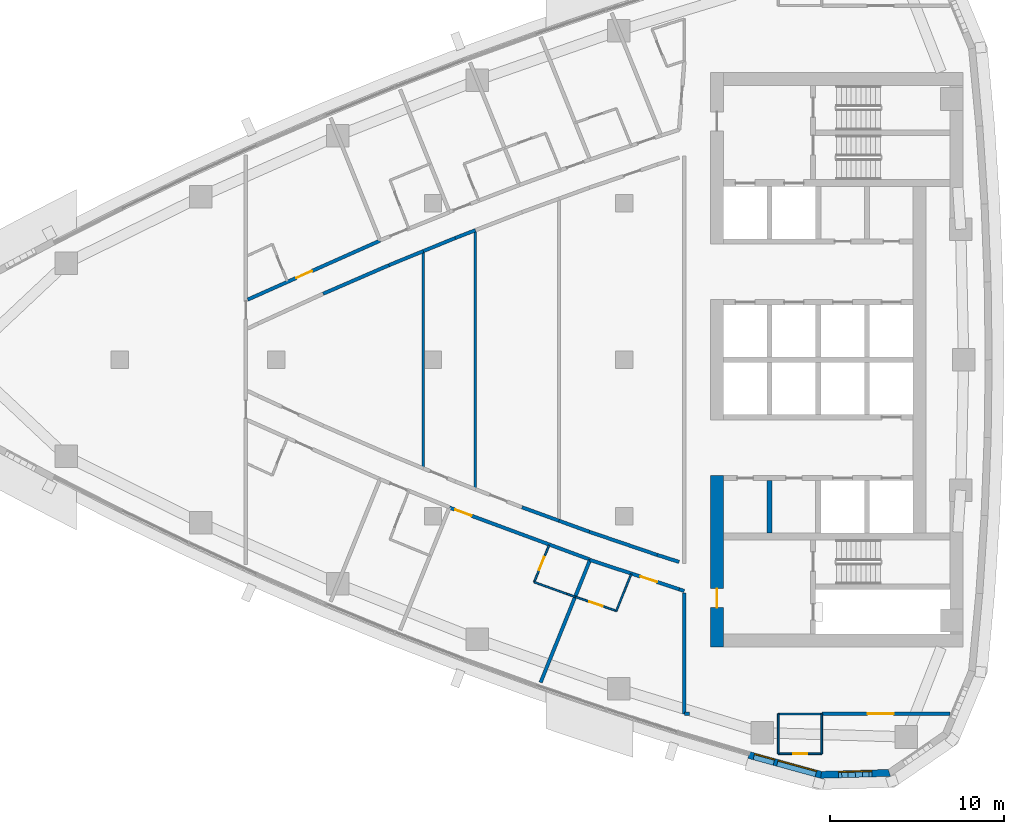
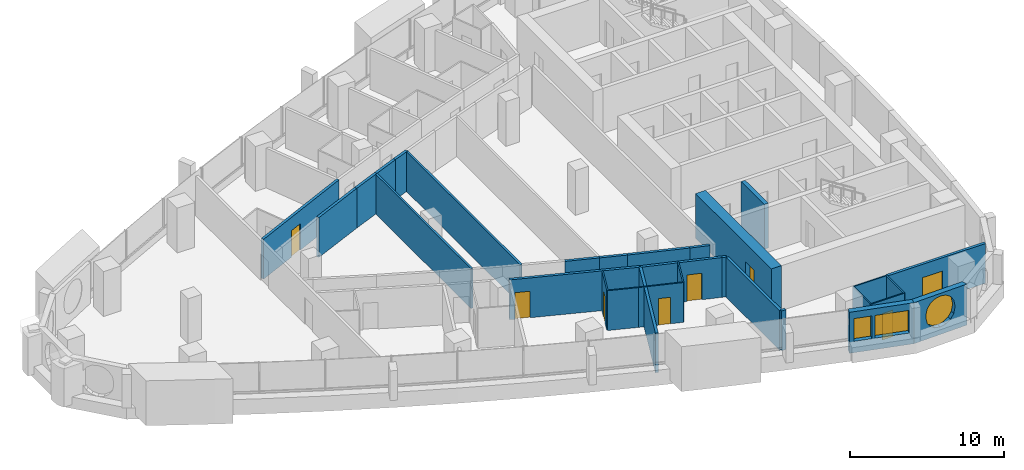
# One storey, part 10 of 17: 31 walls, 8 doors, 3 windows, 11 openings.
"""IFC4 building model written with IfcOpenShell, lengths in metres."""

from ifc_helpers import new_model, si_unit, direction, frame, frame_2d, origin, place, context, subcontext, project, spatial, polyline, rectangle, outline, extrude, material, layer, layer_set, type_object, element, fill, save


model = new_model("IFC4")

# Units and contexts
model_context = context("Model", 3, precision=1e-05, world=origin(), true_north=direction((0.0, 1.0)))
body_context = subcontext(model_context, "Body", "Model", "MODEL_VIEW")
ifc_project = project(units=[si_unit("LENGTHUNIT", "METRE"), si_unit("AREAUNIT", "SQUARE_METRE"), si_unit("VOLUMEUNIT", "CUBIC_METRE"), si_unit("PLANEANGLEUNIT", "RADIAN"), si_unit("MASSUNIT", "GRAM", prefix="KILO")], contexts=[model_context])

# Site, building, storey
site_placement = place(None, origin())
site = spatial("IfcSite", under=ifc_project, at=site_placement, CompositionType="ELEMENT")
building_placement = place(site_placement, origin())
building = spatial("IfcBuilding", under=site, at=building_placement, Name="Ostrand Prow Hotel Tower", CompositionType="ELEMENT")
storey_placement = place(building_placement, frame((0.0, 0.0, 207.449951171875)))
storey = spatial("IfcBuildingStorey", under=building, at=storey_placement, Name="L52", CompositionType="ELEMENT", Elevation=207.449951171875)

# Wall
ifc_material_1 = material(Name="Concrete C60/75", Category="concrete")
ifc_layer_1 = layer(ifc_material_1, 0.300048828125)
ifc_layer_set_1 = layer_set([ifc_layer_1], Name="Concrete C60/75")
wall_type_1 = type_object("IfcWallType", Name="Core wall 300 C60/75", PredefinedType="SHEAR", material=ifc_layer_set_1)
wall_1_placement = place(storey_placement, frame((53.35009765625, -9.949951171875, 0.0), z_axis=(0.0, 0.0, 1.0), x_axis=(0.0, 1.0, 0.0)))
element("IfcWall", 1, at=wall_1_placement, inside=storey, type_object=wall_type_1, Name="Core wall PW-R1-SA", PredefinedType="SHEAR", context=body_context, shape_type="SweptSolid", body=[
    extrude(rectangle(XDim=3.0, YDim=0.300048828125, at=frame_2d((1.5, 0.0))), origin(), (0.0, 0.0, 1.0), 3.550048828125),
])

# Wall, opening, door
ifc_material_2 = material(Name="Concrete C60/75", Category="concrete")
ifc_layer_2 = layer(ifc_material_2, 0.75)
ifc_layer_set_2 = layer_set([ifc_layer_2], Name="Concrete C60/75")
wall_type_2 = type_object("IfcWallType", Name="Core wall 750 C60/75", PredefinedType="SHEAR", material=ifc_layer_set_2)
wall_2_placement = place(storey_placement, frame((50.324951171875, -16.5, 0.0), z_axis=(0.0, 0.0, 1.0), x_axis=(0.0, 1.0, 0.0)))
wall_2 = element("IfcWall", 2, at=wall_2_placement, inside=storey, type_object=wall_type_2, Name="Core wall CW-W-S", PredefinedType="SHEAR", context=body_context, shape_type="SweptSolid", body=[
    extrude(rectangle(XDim=9.85009765625, YDim=0.75, at=frame_2d((4.925048828125, 0.0))), origin(), (0.0, 0.0, 1.0), 3.550048828125),
])
opening_1_placement = place(wall_2_placement, frame((2.25, 0.0, 0.0)))
opening_1 = element("IfcOpeningElement", 3, at=opening_1_placement, cuts=wall_2, Name="Opening FD1", PredefinedType="OPENING", context=body_context, shape_type="SweptSolid", body=[
    extrude(rectangle(XDim=1.10009765625, YDim=2.10009765625, at=frame_2d((0.550048828125, 1.050048828125))), frame((0.0, 0.385009765625, 0.0), z_axis=(0.0, -1.0, 0.0), x_axis=(1.0, 0.0, 0.0)), (0.0, 0.0, 1.0), 0.77001953125),
])
ifc_material_3 = material(Name="Steel fire door", Category="steel")
door_type_1 = type_object("IfcDoorType", Name="Fire door 1100 EI120", OperationType="SINGLE_SWING_RIGHT", PredefinedType="DOOR", material=ifc_material_3)
door_1_placement = place(opening_1_placement, origin())
door_1 = element("IfcDoor", 4, at=door_1_placement, inside=storey, type_object=door_type_1, Name="FIRE DOOR", OperationType="SINGLE_SWING_RIGHT", OverallHeight=2.10009765625, OverallWidth=1.10009765625, PredefinedType="DOOR", context=body_context, shape_type="SweptSolid", body=[
    extrude(rectangle(XDim=1.10009765625, YDim=2.10009765625, at=frame_2d((0.550048828125, 1.050048828125))), frame((0.0, 0.02490234375, 0.0), z_axis=(0.0, -1.0, 0.0), x_axis=(1.0, 0.0, 0.0)), (0.0, 0.0, 1.0), 0.050048828125),
])
fill(opening_1, door_1)

ifc_material_4 = material(Name="Plasterboard partition")
ifc_layer_3 = layer(ifc_material_4, 0.10009765625)
ifc_layer_set_3 = layer_set([ifc_layer_3], Name="Plasterboard partition")
wall_type_3 = type_object("IfcWallType", Name="Partition 100 bathroom wall", PredefinedType="PARTITIONING", material=ifc_layer_set_3)
wall_3_placement = place(storey_placement, frame((56.35009765625, -22.64990234375, 0.0), z_axis=(0.0, 0.0, 1.0), x_axis=(-1.0, 0.0, 0.0)))
wall_3 = element("IfcWall", 5, at=wall_3_placement, inside=storey, type_object=wall_type_3, Name="BATHROOM WALL", PredefinedType="PARTITIONING", context=body_context, shape_type="SweptSolid", body=[
    extrude(rectangle(XDim=2.5, YDim=0.10009765625, at=frame_2d((1.25, 0.0))), origin(), (0.0, 0.0, 1.0), 3.150146484375),
])
opening_2_placement = place(wall_3_placement, frame((0.85009765625, 0.0, 0.0)))
opening_2 = element("IfcOpeningElement", 6, at=opening_2_placement, cuts=wall_3, Name="Opening D2", PredefinedType="OPENING", context=body_context, shape_type="SweptSolid", body=[
    extrude(rectangle(XDim=0.800048828125, YDim=2.10009765625, at=frame_2d((0.39990234375, 1.050048828125))), frame((0.0, 0.06005859375, 0.0), z_axis=(0.0, -1.0, 0.0), x_axis=(1.0, 0.0, 0.0)), (0.0, 0.0, 1.0), 0.1201171875),
])
ifc_material_5 = material(Name="Timber door leaf", Category="wood")
door_type_2 = type_object("IfcDoorType", Name="Bathroom door 800", OperationType="SINGLE_SWING_LEFT", PredefinedType="DOOR", material=ifc_material_5)
door_2_placement = place(opening_2_placement, origin())
door_2 = element("IfcDoor", 7, at=door_2_placement, inside=storey, type_object=door_type_2, Name="DOOR", OperationType="SINGLE_SWING_LEFT", OverallHeight=2.10009765625, OverallWidth=0.800048828125, PredefinedType="DOOR", context=body_context, shape_type="SweptSolid", body=[
    extrude(rectangle(XDim=0.800048828125, YDim=2.10009765625, at=frame_2d((0.39990234375, 1.050048828125))), frame((0.0, 0.02490234375, 0.0), z_axis=(0.0, -1.0, 0.0), x_axis=(1.0, 0.0, 0.0)), (0.0, 0.0, 1.0), 0.050048828125),
])
fill(opening_2, door_2)

# Walls
for number, where, z_axis, x_axis, name in (
    (8, (53.85009765625, -22.64990234375, 0.0), (0.0, 0.0, 1.0), (0.0, 1.0, 0.0), "BATHROOM WALL"),
    (9, (56.35009765625, -20.35009765625, 0.0), (0.0, 0.0, 1.0), (0.0, -1.0, 0.0), "BATHROOM WALL"),
):
    element("IfcWall", number, at=place(storey_placement, frame(where, z_axis=z_axis, x_axis=x_axis)), inside=storey, type_object=wall_type_3, Name=name, PredefinedType="PARTITIONING", context=body_context, shape_type="SweptSolid", body=[
        extrude(rectangle(XDim=2.2998046875, YDim=0.10009765625, at=frame_2d((1.14990234375, 0.0))), origin(), (0.0, 0.0, 1.0), 3.150146484375),
    ])

# Wall, opening, door
wall_4_placement = place(storey_placement, frame((39.81787109375, -12.77880859375, 0.0), z_axis=(0.0, 0.0, 1.0), x_axis=(0.373883593317, 0.927475637765, 0.0)))
wall_4 = element("IfcWall", 10, at=wall_4_placement, inside=storey, type_object=wall_type_3, Name="BATHROOM WALL", PredefinedType="PARTITIONING", context=body_context, shape_type="SweptSolid", body=[
    extrude(rectangle(XDim=2.2783203125, YDim=0.10009765625, at=frame_2d((1.13916015625, 0.0))), origin(), (0.0, 0.0, 1.0), 3.150146484375),
])
opening_3_placement = place(wall_4_placement, frame((0.75, 0.0, 0.0)))
opening_3 = element("IfcOpeningElement", 11, at=opening_3_placement, cuts=wall_4, Name="Opening D2", PredefinedType="OPENING", context=body_context, shape_type="SweptSolid", body=[
    extrude(rectangle(XDim=0.800048828125, YDim=2.10009765625, at=frame_2d((0.39990234375, 1.050048828125))), frame((0.0, 0.06005859375, 0.0), z_axis=(0.0, -1.0, 0.0), x_axis=(1.0, 0.0, 0.0)), (0.0, 0.0, 1.0), 0.1201171875),
])
door_3_placement = place(opening_3_placement, origin())
door_3 = element("IfcDoor", 12, at=door_3_placement, inside=storey, type_object=door_type_2, Name="DOOR", OperationType="SINGLE_SWING_LEFT", OverallHeight=2.10009765625, OverallWidth=0.800048828125, PredefinedType="DOOR", context=body_context, shape_type="SweptSolid", body=[
    extrude(rectangle(XDim=0.800048828125, YDim=2.10009765625, at=frame_2d((0.39990234375, 1.050048828125))), frame((0.0, 0.02490234375, 0.0), z_axis=(0.0, -1.0, 0.0), x_axis=(1.0, 0.0, 0.0)), (0.0, 0.0, 1.0), 0.050048828125),
])
fill(opening_3, door_3)

# Walls
wall_5_placement = place(storey_placement, frame((42.172119140625, -13.625, 0.0), z_axis=(0.0, 0.0, 1.0), x_axis=(-0.946456821894, 0.322830426526, 0.0)))
element("IfcWall", 13, at=wall_5_placement, inside=storey, type_object=wall_type_3, Name="BATHROOM WALL", PredefinedType="PARTITIONING", context=body_context, shape_type="SweptSolid", body=[
    extrude(rectangle(XDim=0.476318359375, YDim=0.10009765625, at=frame_2d((0.23828125, 0.0))), origin(), (0.0, 0.0, 1.0), 3.150146484375),
])
wall_6_placement = place(storey_placement, frame((41.72119140625, -13.47119140625, 0.0), z_axis=(0.0, 0.0, 1.0), x_axis=(-0.939737092411, 0.341897933814, 0.0)))
element("IfcWall", 14, at=wall_6_placement, inside=storey, type_object=wall_type_3, Name="BATHROOM WALL", PredefinedType="PARTITIONING", context=body_context, shape_type="SweptSolid", body=[
    extrude(rectangle(XDim=2.025146484375, YDim=0.10009765625, at=frame_2d((1.0126953125, 0.0))), origin(), (0.0, 0.0, 1.0), 3.150146484375),
])
wall_7_placement = place(storey_placement, frame((45.39453125, -12.318359375, 0.0), z_axis=(0.0, 0.0, 1.0), x_axis=(-0.373917841166, -0.927461831052, 0.0)))
element("IfcWall", 15, at=wall_7_placement, inside=storey, type_object=wall_type_3, Name="BATHROOM WALL", PredefinedType="PARTITIONING", context=body_context, shape_type="SweptSolid", body=[
    extrude(rectangle(XDim=2.28076171875, YDim=0.10009765625, at=frame_2d((1.140380859375, 0.0))), origin(), (0.0, 0.0, 1.0), 3.150146484375),
])

# Wall, opening, door
wall_8_placement = place(storey_placement, frame((44.541748046875, -14.43359375, 0.0), z_axis=(0.0, 0.0, 1.0), x_axis=(-0.946406575113, 0.322977699822, 0.0)))
wall_8 = element("IfcWall", 16, at=wall_8_placement, inside=storey, type_object=wall_type_3, Name="BATHROOM WALL", PredefinedType="PARTITIONING", context=body_context, shape_type="SweptSolid", body=[
    extrude(rectangle(XDim=2.503662109375, YDim=0.10009765625, at=frame_2d((1.251953125, 0.0))), origin(), (0.0, 0.0, 1.0), 3.150146484375),
])
opening_4_placement = place(wall_8_placement, frame((0.85009765625, 0.0, 0.0)))
opening_4 = element("IfcOpeningElement", 17, at=opening_4_placement, cuts=wall_8, Name="Opening D2", PredefinedType="OPENING", context=body_context, shape_type="SweptSolid", body=[
    extrude(rectangle(XDim=0.800048828125, YDim=2.10009765625, at=frame_2d((0.39990234375, 1.050048828125))), frame((0.0, 0.06005859375, 0.0), z_axis=(0.0, -1.0, 0.0), x_axis=(1.0, 0.0, 0.0)), (0.0, 0.0, 1.0), 0.1201171875),
])
door_4_placement = place(opening_4_placement, origin())
door_4 = element("IfcDoor", 18, at=door_4_placement, inside=storey, type_object=door_type_2, Name="DOOR", OperationType="SINGLE_SWING_LEFT", OverallHeight=2.10009765625, OverallWidth=0.800048828125, PredefinedType="DOOR", context=body_context, shape_type="SweptSolid", body=[
    extrude(rectangle(XDim=0.800048828125, YDim=2.10009765625, at=frame_2d((0.39990234375, 1.050048828125))), frame((0.0, 0.02490234375, 0.0), z_axis=(0.0, -1.0, 0.0), x_axis=(1.0, 0.0, 0.0)), (0.0, 0.0, 1.0), 0.050048828125),
])
fill(opening_4, door_4)

# Walls
wall_9_placement = place(storey_placement, frame((53.85009765625, -20.35498046875, 0.0), z_axis=(0.0, 0.0, 1.0), x_axis=(1.0, 0.0, 0.0)))
element("IfcWall", 19, at=wall_9_placement, inside=storey, type_object=wall_type_3, Name="BATHROOM WALL", PredefinedType="PARTITIONING", context=body_context, shape_type="SweptSolid", body=[
    extrude(rectangle(XDim=2.5, YDim=0.10009765625, at=frame_2d((1.25, 0.0))), origin(), (0.0, 0.0, 1.0), 3.150146484375),
])
ifc_material_6 = material(Name="Plasterboard partition")
ifc_layer_4 = layer(ifc_material_6, 0.14990234375)
ifc_layer_set_4 = layer_set([ifc_layer_4], Name="Plasterboard partition")
wall_type_4 = type_object("IfcWallType", Name="Partition 150 room partition", PredefinedType="PARTITIONING", material=ifc_layer_set_4)
wall_10_placement = place(storey_placement, frame((33.44140625, -6.241943359375, 0.0), z_axis=(0.0, 0.0, 1.0), x_axis=(0.0, 1.0, 0.0)))
element("IfcWall", 20, at=wall_10_placement, inside=storey, type_object=wall_type_4, Name="ROOM PARTITION", PredefinedType="PARTITIONING", context=body_context, shape_type="SweptSolid", body=[
    extrude(rectangle(XDim=12.48388671875, YDim=0.14990234375, at=frame_2d((6.241943359375, 0.0))), origin(), (0.0, 0.0, 1.0), 3.150146484375),
])
wall_11_placement = place(storey_placement, frame((36.44140625, -7.445068359375, 0.0), z_axis=(0.0, 0.0, 1.0), x_axis=(0.0, 1.0, 0.0)))
element("IfcWall", 21, at=wall_11_placement, inside=storey, type_object=wall_type_4, Name="ROOM PARTITION", PredefinedType="PARTITIONING", context=body_context, shape_type="SweptSolid", body=[
    extrude(rectangle(XDim=14.89013671875, YDim=0.14990234375, at=frame_2d((7.445068359375, 0.0))), origin(), (0.0, 0.0, 1.0), 3.150146484375),
])

# Wall, opening, door
ifc_material_7 = material(Name="Plasterboard partition")
ifc_layer_5 = layer(ifc_material_7, 0.199951171875)
ifc_layer_set_5 = layer_set([ifc_layer_5], Name="Plasterboard partition")
wall_type_5 = type_object("IfcWallType", Name="Partition 200 corridor wall", PredefinedType="PARTITIONING", material=ifc_layer_set_5)
wall_12_placement = place(storey_placement, frame((23.35400390625, 3.45751953125, 0.0), z_axis=(0.0, 0.0, 1.0), x_axis=(0.913485016927, 0.406872368009, 0.0)))
wall_12 = element("IfcWall", 22, at=wall_12_placement, inside=storey, type_object=wall_type_5, Name="CORRIDOR WALL", PredefinedType="PARTITIONING", context=body_context, shape_type="SweptSolid", body=[
    extrude(rectangle(XDim=8.332275390625, YDim=0.199951171875, at=frame_2d((4.166015625, 0.0))), origin(), (0.0, 0.0, 1.0), 3.150146484375),
])
opening_5_placement = place(wall_12_placement, frame((3.050048828125, 0.0, 0.0)))
opening_5 = element("IfcOpeningElement", 23, at=opening_5_placement, cuts=wall_12, Name="Opening D1R", PredefinedType="OPENING", context=body_context, shape_type="SweptSolid", body=[
    extrude(rectangle(XDim=1.0, YDim=2.10009765625, at=frame_2d((0.5, 1.050048828125))), frame((0.0, 0.10986328125, 0.0), z_axis=(0.0, -1.0, 0.0), x_axis=(1.0, 0.0, 0.0)), (0.0, 0.0, 1.0), 0.219970703125),
])
ifc_material_8 = material(Name="Timber door leaf", Category="wood")
door_type_3 = type_object("IfcDoorType", Name="Guest room door 1000 right", OperationType="SINGLE_SWING_RIGHT", PredefinedType="DOOR", material=ifc_material_8)
door_5_placement = place(opening_5_placement, origin())
door_5 = element("IfcDoor", 24, at=door_5_placement, inside=storey, type_object=door_type_3, Name="DOOR", OperationType="SINGLE_SWING_RIGHT", OverallHeight=2.10009765625, OverallWidth=1.0, PredefinedType="DOOR", context=body_context, shape_type="SweptSolid", body=[
    extrude(rectangle(XDim=1.0, YDim=2.10009765625, at=frame_2d((0.5, 1.050048828125))), frame((0.0, 0.02490234375, 0.0), z_axis=(0.0, -1.0, 0.0), x_axis=(1.0, 0.0, 0.0)), (0.0, 0.0, 1.0), 0.050048828125),
])
fill(opening_5, door_5)

wall_13_placement = place(storey_placement, frame((34.9482421875, -8.497314453125, 0.0), z_axis=(0.0, 0.0, 1.0), x_axis=(0.937864515454, -0.347001657996, 0.0)))
wall_13 = element("IfcWall", 25, at=wall_13_placement, inside=storey, type_object=wall_type_5, Name="CORRIDOR WALL", PredefinedType="PARTITIONING", context=body_context, shape_type="SweptSolid", body=[
    extrude(rectangle(XDim=8.620849609375, YDim=0.199951171875, at=frame_2d((4.310546875, 0.0))), origin(), (0.0, 0.0, 1.0), 3.150146484375),
])
opening_6_placement = place(wall_13_placement, frame((0.35009765625, 0.0, 0.0)))
opening_6 = element("IfcOpeningElement", 26, at=opening_6_placement, cuts=wall_13, Name="Opening D1", PredefinedType="OPENING", context=body_context, shape_type="SweptSolid", body=[
    extrude(rectangle(XDim=1.0, YDim=2.10009765625, at=frame_2d((0.5, 1.050048828125))), frame((0.0, 0.10986328125, 0.0), z_axis=(0.0, -1.0, 0.0), x_axis=(1.0, 0.0, 0.0)), (0.0, 0.0, 1.0), 0.219970703125),
])
ifc_material_9 = material(Name="Timber door leaf", Category="wood")
door_type_4 = type_object("IfcDoorType", Name="Guest room door 1000", OperationType="SINGLE_SWING_LEFT", PredefinedType="DOOR", material=ifc_material_9)
door_6_placement = place(opening_6_placement, origin())
door_6 = element("IfcDoor", 27, at=door_6_placement, inside=storey, type_object=door_type_4, Name="DOOR", OperationType="SINGLE_SWING_LEFT", OverallHeight=2.10009765625, OverallWidth=1.0, PredefinedType="DOOR", context=body_context, shape_type="SweptSolid", body=[
    extrude(rectangle(XDim=1.0, YDim=2.10009765625, at=frame_2d((0.5, 1.050048828125))), frame((0.0, 0.02490234375, 0.0), z_axis=(0.0, -1.0, 0.0), x_axis=(1.0, 0.0, 0.0)), (0.0, 0.0, 1.0), 0.050048828125),
])
fill(opening_6, door_6)

# Walls
wall_14_placement = place(storey_placement, frame((27.689697265625, 3.79345703125, 0.0), z_axis=(0.0, 0.0, 1.0), x_axis=(0.917375244839, 0.398023441717, 0.0)))
element("IfcWall", 28, at=wall_14_placement, inside=storey, type_object=wall_type_5, Name="CORRIDOR WALL", PredefinedType="PARTITIONING", context=body_context, shape_type="SweptSolid", body=[
    extrude(rectangle(XDim=4.116943359375, YDim=0.199951171875, at=frame_2d((2.05859375, 0.0))), origin(), (0.0, 0.0, 1.0), 3.150146484375),
])
wall_15_placement = place(storey_placement, frame((31.466552734375, 5.43212890625, 0.0), z_axis=(0.0, 0.0, 1.0), x_axis=(0.925231428595, 0.379403220256, 0.0)))
element("IfcWall", 29, at=wall_15_placement, inside=storey, type_object=wall_type_5, Name="CORRIDOR WALL", PredefinedType="PARTITIONING", context=body_context, shape_type="SweptSolid", body=[
    extrude(rectangle(XDim=2.134521484375, YDim=0.199951171875, at=frame_2d((1.0673828125, 0.0))), origin(), (0.0, 0.0, 1.0), 3.150146484375),
])
wall_16_placement = place(storey_placement, frame((35.275634765625, 6.994384765625, 0.0), z_axis=(0.0, 0.0, 1.0), x_axis=(0.932724985261, 0.360588549276, 0.0)))
element("IfcWall", 30, at=wall_16_placement, inside=storey, type_object=wall_type_5, Name="CORRIDOR WALL", PredefinedType="PARTITIONING", context=body_context, shape_type="SweptSolid", body=[
    extrude(rectangle(XDim=1.249755859375, YDim=0.199951171875, at=frame_2d((0.625, 0.0))), origin(), (0.0, 0.0, 1.0), 3.150146484375),
])
wall_17_placement = place(storey_placement, frame((33.44140625, 6.241943359375, 0.0), z_axis=(0.0, 0.0, 1.0), x_axis=(0.925179705777, 0.379529329589, 0.0)))
element("IfcWall", 31, at=wall_17_placement, inside=storey, type_object=wall_type_5, Name="CORRIDOR WALL", PredefinedType="PARTITIONING", context=body_context, shape_type="SweptSolid", body=[
    extrude(rectangle(XDim=1.982666015625, YDim=0.199951171875, at=frame_2d((0.9912109375, 0.0))), origin(), (0.0, 0.0, 1.0), 3.150146484375),
])
wall_18_placement = place(storey_placement, frame((41.244873046875, -9.254150390625, 0.0), z_axis=(0.0, 0.0, 1.0), x_axis=(-0.939746227223, 0.341872824923, 0.0)))
element("IfcWall", 32, at=wall_18_placement, inside=storey, type_object=wall_type_5, Name="CORRIDOR WALL", PredefinedType="PARTITIONING", context=body_context, shape_type="SweptSolid", body=[
    extrude(rectangle(XDim=2.265869140625, YDim=0.199951171875, at=frame_2d((1.1328125, 0.0))), origin(), (0.0, 0.0, 1.0), 3.150146484375),
])
wall_19_placement = place(storey_placement, frame((46.880859375, -11.216552734375, 0.0), z_axis=(0.0, 0.0, 1.0), x_axis=(-0.946436071896, 0.322891253852, 0.0)))
element("IfcWall", 33, at=wall_19_placement, inside=storey, type_object=wall_type_5, Name="CORRIDOR WALL", PredefinedType="PARTITIONING", context=body_context, shape_type="SweptSolid", body=[
    extrude(rectangle(XDim=4.116943359375, YDim=0.199951171875, at=frame_2d((2.05859375, 0.0))), origin(), (0.0, 0.0, 1.0), 3.150146484375),
])
wall_20_placement = place(storey_placement, frame((42.984375, -9.88720703125, 0.0), z_axis=(0.0, 0.0, 1.0), x_axis=(-0.939704824537, 0.341986611933, 0.0)))
element("IfcWall", 34, at=wall_20_placement, inside=storey, type_object=wall_type_5, Name="CORRIDOR WALL", PredefinedType="PARTITIONING", context=body_context, shape_type="SweptSolid", body=[
    extrude(rectangle(XDim=1.85107421875, YDim=0.199951171875, at=frame_2d((0.925537109375, 0.0))), origin(), (0.0, 0.0, 1.0), 3.150146484375),
])

# Wall, opening, door
wall_21_placement = place(storey_placement, frame((56.35498046875, -20.35498046875, 0.0), z_axis=(0.0, 0.0, 1.0), x_axis=(1.0, 0.0, 0.0)))
wall_21 = element("IfcWall", 35, at=wall_21_placement, inside=storey, type_object=wall_type_5, Name="CORRIDOR WALL", PredefinedType="PARTITIONING", context=body_context, shape_type="SweptSolid", body=[
    extrude(rectangle(XDim=7.3544921875, YDim=0.199951171875, at=frame_2d((3.67724609375, 0.0))), origin(), (0.0, 0.0, 1.0), 3.150146484375),
])
opening_7_placement = place(wall_21_placement, frame((2.623779296875, 0.0, 0.0)))
opening_7 = element("IfcOpeningElement", 36, at=opening_7_placement, cuts=wall_21, Name="Opening D15", PredefinedType="OPENING", context=body_context, shape_type="SweptSolid", body=[
    extrude(rectangle(XDim=1.5, YDim=2.10009765625, at=frame_2d((0.75, 1.050048828125))), frame((0.0, 0.10986328125, 0.0), z_axis=(0.0, -1.0, 0.0), x_axis=(1.0, 0.0, 0.0)), (0.0, 0.0, 1.0), 0.219970703125),
])
ifc_material_10 = material(Name="Timber door leaf", Category="wood")
door_type_5 = type_object("IfcDoorType", Name="Double door 1500", OperationType="DOUBLE_DOOR_SINGLE_SWING", PredefinedType="DOOR", material=ifc_material_10)
door_7_placement = place(opening_7_placement, origin())
door_7 = element("IfcDoor", 37, at=door_7_placement, inside=storey, type_object=door_type_5, Name="DOOR", OperationType="DOUBLE_DOOR_SINGLE_SWING", OverallHeight=2.10009765625, OverallWidth=1.5, PredefinedType="DOOR", context=body_context, shape_type="SweptSolid", body=[
    extrude(rectangle(XDim=1.5, YDim=2.10009765625, at=frame_2d((0.75, 1.050048828125))), frame((0.0, 0.02490234375, 0.0), z_axis=(0.0, -1.0, 0.0), x_axis=(1.0, 0.0, 0.0)), (0.0, 0.0, 1.0), 0.050048828125),
])
fill(opening_7, door_7)

wall_22_placement = place(storey_placement, frame((43.02587890625, -11.50732421875, 0.0), z_axis=(0.0, 0.0, 1.0), x_axis=(0.949951949432, -0.312396052744, 0.0)))
wall_22 = element("IfcWall", 38, at=wall_22_placement, inside=storey, type_object=wall_type_5, Name="CORRIDOR WALL", PredefinedType="PARTITIONING", context=body_context, shape_type="SweptSolid", body=[
    extrude(rectangle(XDim=5.39404296875, YDim=0.199951171875, at=frame_2d((2.697021484375, 0.0))), origin(), (0.0, 0.0, 1.0), 3.150146484375),
])
opening_8_placement = place(wall_22_placement, frame((3.050048828125, 0.0, 0.0)))
opening_8 = element("IfcOpeningElement", 39, at=opening_8_placement, cuts=wall_22, Name="Opening D1", PredefinedType="OPENING", context=body_context, shape_type="SweptSolid", body=[
    extrude(rectangle(XDim=1.0, YDim=2.10009765625, at=frame_2d((0.5, 1.050048828125))), frame((0.0, 0.10986328125, 0.0), z_axis=(0.0, -1.0, 0.0), x_axis=(1.0, 0.0, 0.0)), (0.0, 0.0, 1.0), 0.219970703125),
])
door_8_placement = place(opening_8_placement, origin())
door_8 = element("IfcDoor", 40, at=door_8_placement, inside=storey, type_object=door_type_4, Name="DOOR", OperationType="SINGLE_SWING_LEFT", OverallHeight=2.10009765625, OverallWidth=1.0, PredefinedType="DOOR", context=body_context, shape_type="SweptSolid", body=[
    extrude(rectangle(XDim=1.0, YDim=2.10009765625, at=frame_2d((0.5, 1.050048828125))), frame((0.0, 0.02490234375, 0.0), z_axis=(0.0, -1.0, 0.0), x_axis=(1.0, 0.0, 0.0)), (0.0, 0.0, 1.0), 0.050048828125),
])
fill(opening_8, door_8)

# Walls
wall_23_placement = place(storey_placement, frame((48.14990234375, -11.62109375, 0.0), z_axis=(0.0, 0.0, 1.0), x_axis=(-0.952761948983, 0.303718074157, 0.0)))
element("IfcWall", 41, at=wall_23_placement, inside=storey, type_object=wall_type_5, Name="CORRIDOR WALL", PredefinedType="PARTITIONING", context=body_context, shape_type="SweptSolid", body=[
    extrude(rectangle(XDim=1.33203125, YDim=0.199951171875, at=frame_2d((0.666015625, 0.0))), origin(), (0.0, 0.0, 1.0), 3.150146484375),
])
wall_24_placement = place(storey_placement, frame((48.14990234375, -13.1923828125, 0.0), z_axis=(0.0, 0.0, 1.0), x_axis=(0.944623214561, -0.328156947987, 0.0)))
element("IfcWall", 42, at=wall_24_placement, inside=storey, type_object=wall_type_5, Name="CORRIDOR WALL", PredefinedType="PARTITIONING", context=body_context, shape_type="SweptSolid", body=[
    extrude(rectangle(XDim=0.3125, YDim=0.199951171875, at=frame_2d((0.15625, 0.0))), origin(), (0.0, 0.0, 1.0), 3.150146484375),
])
wall_25_placement = place(storey_placement, frame((48.445068359375, -13.414794921875, 0.0), z_axis=(0.0, 0.0, 1.0), x_axis=(0.0, -1.0, 0.0)))
element("IfcWall", 43, at=wall_25_placement, inside=storey, type_object=wall_type_5, Name="CORRIDOR WALL", PredefinedType="PARTITIONING", context=body_context, shape_type="SweptSolid", body=[
    extrude(rectangle(XDim=6.935302734375, YDim=0.199951171875, at=frame_2d((3.4677734375, 0.0))), origin(), (0.0, 0.0, 1.0), 3.150146484375),
])
wall_26_placement = place(storey_placement, frame((48.445068359375, -20.35009765625, 0.0), z_axis=(0.0, 0.0, 1.0), x_axis=(0.999849757003, -0.017333880736, 0.0)))
element("IfcWall", 44, at=wall_26_placement, inside=storey, type_object=wall_type_5, Name="CORRIDOR WALL", PredefinedType="PARTITIONING", context=body_context, shape_type="SweptSolid", body=[
    extrude(rectangle(XDim=0.309814453125, YDim=0.199951171875, at=frame_2d((0.15478515625, 0.0))), origin(), (0.0, 0.0, 1.0), 3.150146484375),
])
ifc_material_11 = material(Name="Plasterboard partition")
ifc_layer_6 = layer(ifc_material_11, 0.199951171875)
ifc_layer_set_6 = layer_set([ifc_layer_6], Name="Plasterboard partition")
wall_type_6 = type_object("IfcWallType", Name="Partition 200 key partition", PredefinedType="PARTITIONING", material=ifc_layer_set_6)
wall_27_placement = place(storey_placement, frame((40.187744140625, -18.548095703125, 0.0), z_axis=(0.0, 0.0, 1.0), x_axis=(0.373877998371, 0.927477893178, 0.0)))
element("IfcWall", 45, at=wall_27_placement, inside=storey, type_object=wall_type_6, Name="KEY PARTITION", PredefinedType="PARTITIONING", context=body_context, shape_type="SweptSolid", body=[
    extrude(rectangle(XDim=7.611328125, YDim=0.199951171875, at=frame_2d((3.8056640625, 0.0))), origin(), (0.0, 0.0, 1.0), 3.150146484375),
])

# Wall, openings, windows
ifc_material_12 = material(Name="Precast concrete C40/50", Category="concrete")
ifc_layer_7 = layer(ifc_material_12, 0.39990234375)
ifc_layer_set_7 = layer_set([ifc_layer_7], Name="Precast concrete C40/50")
wall_type_7 = type_object("IfcWallType", Name="Stone-faced precast wall 400 mm", PredefinedType="NOTDEFINED", material=ifc_layer_set_7)
wall_28_placement = place(storey_placement, frame((52.15478515625, -22.7158203125, 0.0), z_axis=(0.0, 0.0, 1.0), x_axis=(0.964205755089, -0.265155165617, 0.0)))
wall_28 = element("IfcWall", 46, at=wall_28_placement, inside=storey, type_object=wall_type_7, Name="Stone-faced wall back 1", PredefinedType="NOTDEFINED", context=body_context, shape_type="SweptSolid", body=[
    extrude(outline(polyline([(0.0, -0.199951171875), (4.3369140625, -0.199951171875), (4.27734375, 0.199951171875), (0.0, 0.199951171875), (0.0, -0.199951171875)])), origin(), (0.0, 0.0, 1.0), 3.25),
])
opening_9_placement = place(wall_28_placement, frame((0.303466796875, 0.0, 0.89990234375)))
opening_9 = element("IfcOpeningElement", 47, at=opening_9_placement, cuts=wall_28, Name="Opening WS4", PredefinedType="OPENING", context=body_context, shape_type="SweptSolid", body=[
    extrude(rectangle(XDim=1.199951171875, YDim=1.800048828125, at=frame_2d((0.60009765625, 0.89990234375))), frame((0.0, 0.2099609375, 0.0), z_axis=(0.0, -1.0, 0.0), x_axis=(1.0, 0.0, 0.0)), (0.0, 0.0, 1.0), 0.419921875),
])
opening_10_placement = place(wall_28_placement, frame((1.70361328125, 0.0, 0.89990234375)))
opening_10 = element("IfcOpeningElement", 48, at=opening_10_placement, cuts=wall_28, Name="Opening WS5-23", PredefinedType="OPENING", context=body_context, shape_type="SweptSolid", body=[
    extrude(rectangle(XDim=2.300048828125, YDim=1.800048828125, at=frame_2d((1.14990234375, 0.89990234375))), frame((0.0, 0.2099609375, 0.0), z_axis=(0.0, -1.0, 0.0), x_axis=(1.0, 0.0, 0.0)), (0.0, 0.0, 1.0), 0.419921875),
])
ifc_material_13 = material(Name="Insulated glass in bronze frame", Category="glass")
window_type_1 = type_object("IfcWindowType", Name="Fixed strip window 2300x1800", PartitioningType="SINGLE_PANEL", PredefinedType="WINDOW", material=ifc_material_13)
window_1_placement = place(opening_10_placement, origin())
window_1 = element("IfcWindow", 49, at=window_1_placement, inside=storey, type_object=window_type_1, Name="Window back 1.2", OverallHeight=1.800048828125, OverallWidth=2.300048828125, PartitioningType="SINGLE_PANEL", PredefinedType="WINDOW", context=body_context, shape_type="SweptSolid", body=[
    extrude(rectangle(XDim=2.300048828125, YDim=1.800048828125, at=frame_2d((1.14990234375, 0.89990234375))), frame((0.0, 0.169921875, 0.0), z_axis=(0.0, -1.0, 0.0), x_axis=(1.0, 0.0, 0.0)), (0.0, 0.0, 1.0), 0.06005859375),
])
fill(opening_10, window_1)
ifc_material_14 = material(Name="Insulated glass in bronze frame", Category="glass")
window_type_2 = type_object("IfcWindowType", Name="Operable strip panel 1200x1800", PartitioningType="SINGLE_PANEL", PredefinedType="WINDOW", material=ifc_material_14)
window_2_placement = place(opening_9_placement, origin())
window_2 = element("IfcWindow", 50, at=window_2_placement, inside=storey, type_object=window_type_2, Name="Window back 1.1", OverallHeight=1.800048828125, OverallWidth=1.199951171875, PartitioningType="SINGLE_PANEL", PredefinedType="WINDOW", context=body_context, shape_type="SweptSolid", body=[
    extrude(rectangle(XDim=1.199951171875, YDim=1.800048828125, at=frame_2d((0.60009765625, 0.89990234375))), frame((0.0, 0.169921875, 0.0), z_axis=(0.0, -1.0, 0.0), x_axis=(1.0, 0.0, 0.0)), (0.0, 0.0, 1.0), 0.06005859375),
])
fill(opening_9, window_2)

# Wall, opening, window
wall_29_placement = place(storey_placement, frame((56.307861328125, -23.85791015625, 0.0), z_axis=(0.0, 0.0, 1.0), x_axis=(0.999587920197, 0.028705222472, 0.0)))
wall_29 = element("IfcWall", 51, at=wall_29_placement, inside=storey, type_object=wall_type_7, Name="Stone-faced wall back 2", PredefinedType="NOTDEFINED", context=body_context, shape_type="SweptSolid", body=[
    extrude(outline(polyline([(-0.02978515625, -0.199951171875), (3.988525390625, -0.199951171875), (3.870361328125, 0.199951171875), (0.02978515625, 0.199951171875), (-0.02978515625, -0.199951171875)])), origin(), (0.0, 0.0, 1.0), 3.25),
])
opening_11_placement = place(wall_29_placement, frame((0.864501953125, 0.0, 0.60009765625)))
opening_11 = element("IfcOpeningElement", 52, at=opening_11_placement, cuts=wall_29, Name="Opening WP1", PredefinedType="OPENING", context=body_context, shape_type="SweptSolid", body=[
    extrude(outline(polyline([(0.0, 1.35009765625), (0.083740234375, 1.77099609375), (0.322265625, 2.127685546875), (0.678955078125, 2.3662109375), (1.10009765625, 2.449951171875), (1.52099609375, 2.3662109375), (1.877685546875, 2.127685546875), (2.1162109375, 1.77099609375), (2.199951171875, 1.35009765625), (2.199951171875, 1.10009765625), (2.1162109375, 0.678955078125), (1.877685546875, 0.322265625), (1.52099609375, 0.083740234375), (1.10009765625, 0.0), (0.678955078125, 0.083740234375), (0.322265625, 0.322265625), (0.083740234375, 0.678955078125), (0.0, 1.099853515625), (0.0, 1.35009765625)])), frame((0.0, 0.2099609375, 0.0), z_axis=(0.0, -1.0, 0.0), x_axis=(1.0, 0.0, 0.0)), (0.0, 0.0, 1.0), 0.419921875),
])
ifc_material_15 = material(Name="Insulated glass in bronze frame", Category="glass")
window_type_3 = type_object("IfcWindowType", Name="Round-ended prow window 2200x2450", PartitioningType="SINGLE_PANEL", PredefinedType="WINDOW", material=ifc_material_15)
window_3_placement = place(opening_11_placement, origin())
window_3 = element("IfcWindow", 53, at=window_3_placement, inside=storey, type_object=window_type_3, Name="Window back 2.1", OverallHeight=2.449951171875, OverallWidth=2.199951171875, PartitioningType="SINGLE_PANEL", PredefinedType="WINDOW", context=body_context, shape_type="SweptSolid", body=[
    extrude(outline(polyline([(0.0, 1.35009765625), (0.083740234375, 1.77099609375), (0.322265625, 2.127685546875), (0.678955078125, 2.3662109375), (1.10009765625, 2.449951171875), (1.52099609375, 2.3662109375), (1.877685546875, 2.127685546875), (2.1162109375, 1.77099609375), (2.199951171875, 1.35009765625), (2.199951171875, 1.10009765625), (2.1162109375, 0.678955078125), (1.877685546875, 0.322265625), (1.52099609375, 0.083740234375), (1.10009765625, 0.0), (0.678955078125, 0.083740234375), (0.322265625, 0.322265625), (0.083740234375, 0.678955078125), (0.0, 1.099853515625), (0.0, 1.35009765625)])), frame((0.0, 0.169921875, 0.0), z_axis=(0.0, -1.0, 0.0), x_axis=(1.0, 0.0, 0.0)), (0.0, 0.0, 1.0), 0.06005859375),
])
fill(opening_11, window_3)

save(model, "model.ifc")
